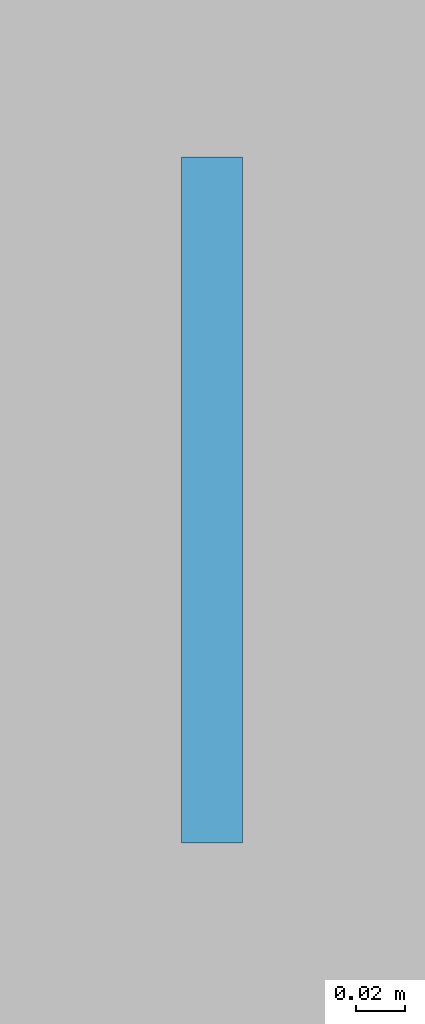
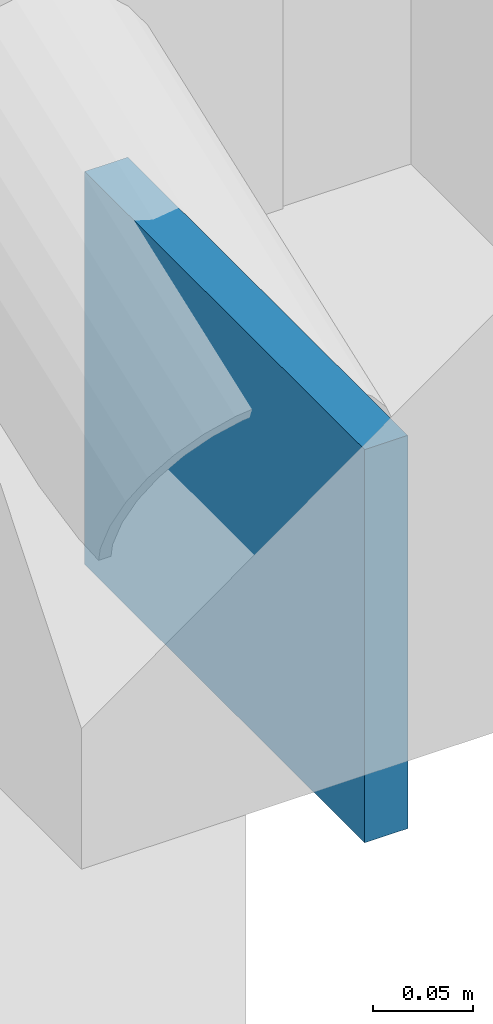
# One storey, part 111 of 134: 1 plate.
"""IFC4 building model written with IfcOpenShell, lengths in metres."""

from ifc_helpers import new_model, si_unit, direction, frame, origin, origin_2d, place, context, subcontext, project, spatial, rectangle, extrude, material, layer, layer_set, type_object, element, save


model = new_model("IFC4")

# Units and contexts
model_context = context("Model", 3, precision=1e-05, world=origin(), true_north=direction((0.0, 1.0)))
body_context = subcontext(model_context, "Body", "Model", "MODEL_VIEW")
ifc_project = project(units=[si_unit("LENGTHUNIT", "METRE"), si_unit("AREAUNIT", "SQUARE_METRE"), si_unit("VOLUMEUNIT", "CUBIC_METRE"), si_unit("PLANEANGLEUNIT", "RADIAN"), si_unit("MASSUNIT", "GRAM", prefix="KILO")], contexts=[model_context])

# Site, building, storey
site_placement = place(None, origin())
site = spatial("IfcSite", under=ifc_project, at=site_placement, CompositionType="ELEMENT")
building_placement = place(site_placement, origin())
building = spatial("IfcBuilding", under=site, at=building_placement, Name="Karori Crest Natural Sciences Institute", CompositionType="ELEMENT")
storey_placement = place(building_placement, frame((0.0, 0.0, 21.699951171875)))
storey = spatial("IfcBuildingStorey", under=building, at=storey_placement, Name="L05", CompositionType="ELEMENT", Elevation=21.699951171875)

# Plate
ifc_material = material(Name="Structural steel AS/NZS 3679.1 Grade 350", Category="steel")
ifc_layer = layer(ifc_material, 0.02490234375, Name="Structural steel AS/NZS 3679.1 Grade 350")
ifc_layer_set = layer_set([ifc_layer], Name="Structural steel AS/NZS 3679.1 Grade 350")
plate_type = type_object("IfcPlateType", Name="PLT-06-EL", PredefinedType="SHEET", material=ifc_layer_set)
plate_placement = place(storey_placement, frame((27.199951171875, 95.0, -0.10986328125), z_axis=(0.0, 0.0, 1.0), x_axis=(0.0, 1.0, 0.0)))
element("IfcPlate", 1, at=plate_placement, inside=storey, type_object=plate_type, Name="Brace gusset plate EP-0468", PredefinedType="SHEET", context=body_context, shape_type="SweptSolid", body=[
    extrude(rectangle(XDim=0.280029296875, YDim=0.02490234375, at=origin_2d()), origin(), (0.0, 0.0, 1.0), 0.239990234375),
])

save(model, "model.ifc")
